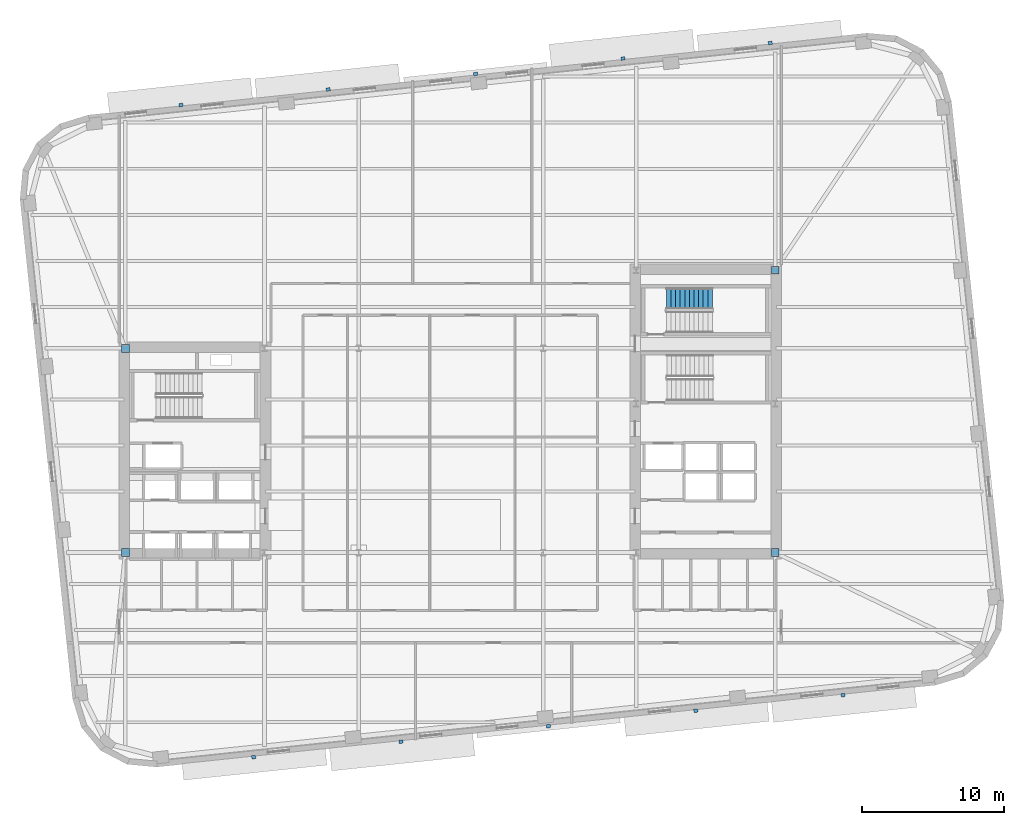
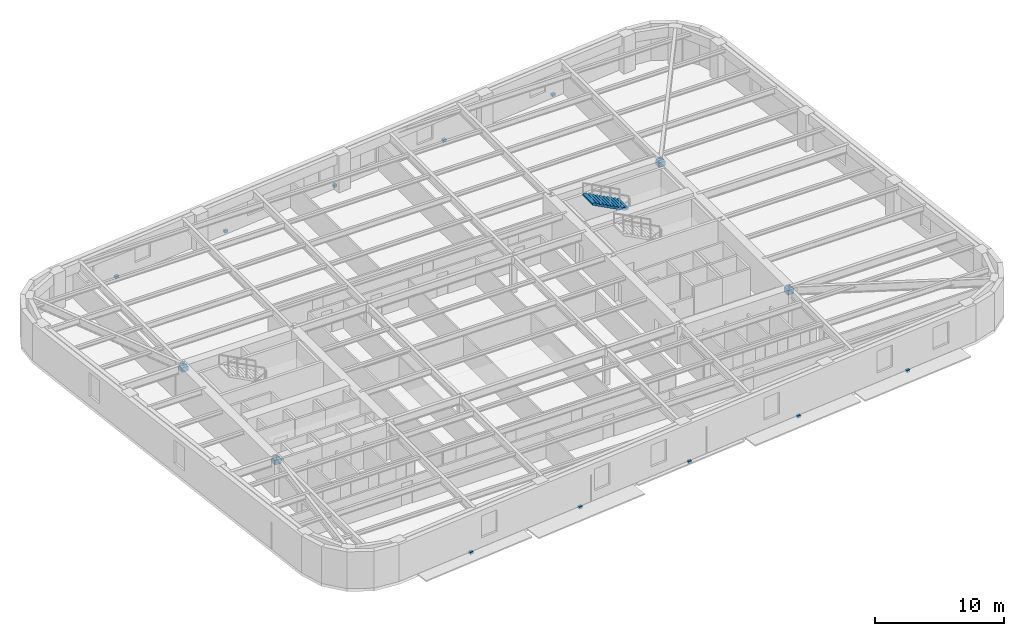
# One storey, part 8 of 12: 14 discrete accessories, 1 stair flight, 1 element without a shape of its own.
"""IFC4 building model written with IfcOpenShell, lengths in metres."""

from ifc_helpers import new_model, si_unit, direction, frame, origin, origin_2d, place, context, subcontext, project, spatial, polyline, rectangle, outline, extrude, material, type_object, element, aggregate, save


model = new_model("IFC4")

# Units and contexts
model_context = context("Model", 3, precision=1e-05, world=origin(), true_north=direction((0.0, 1.0)))
body_context = subcontext(model_context, "Body", "Model", "MODEL_VIEW")
ifc_project = project(units=[si_unit("LENGTHUNIT", "METRE"), si_unit("AREAUNIT", "SQUARE_METRE"), si_unit("VOLUMEUNIT", "CUBIC_METRE"), si_unit("PLANEANGLEUNIT", "RADIAN"), si_unit("MASSUNIT", "GRAM", prefix="KILO")], contexts=[model_context])

# Site, building, storey
site_placement = place(None, origin())
site = spatial("IfcSite", under=ifc_project, at=site_placement, CompositionType="ELEMENT")
building_placement = place(site_placement, origin())
building = spatial("IfcBuilding", under=site, at=building_placement, Name="Kolvaren Arena Tower", CompositionType="ELEMENT")
storey_placement = place(building_placement, frame((0.0, 0.0, 138.25)))
storey = spatial("IfcBuildingStorey", under=building, at=storey_placement, Name="L32", CompositionType="ELEMENT", Elevation=138.25)

# Stair, stair flight
ifc_material_1 = material(Name="Concrete 45 MPa", Category="concrete")
stair_type = type_object("IfcStairType", Name="STAIR-CORE-150", PredefinedType="HALF_TURN_STAIR", material=ifc_material_1)
stair_placement = place(storey_placement, origin())
stair = element("IfcStair", 1, at=stair_placement, inside=storey, type_object=stair_type, Name="L32 ST-E2", PredefinedType="HALF_TURN_STAIR")
stair_flight_type = type_object("IfcStairFlightType", Name="FLT-150", PredefinedType="STRAIGHT", material=ifc_material_1)
stair_flight_placement = place(storey_placement, frame((55.919921875, 37.35009765625, 1.875), z_axis=(0.0, 0.0, 1.0), x_axis=(-1.0, 0.0, 0.0)))
stair_flight = element("IfcStairFlight", 2, at=stair_flight_placement, type_object=stair_flight_type, Name="ST-E2 flight 2", NumberOfRisers=11, NumberOfTreads=10, PredefinedType="STRAIGHT", RiserHeight=0.170454545, TreadLength=0.324, context=body_context, shape_type="SweptSolid", body=[
    extrude(outline(polyline([(0.0, 0.0), (0.0, 0.17041015625), (0.323974609375, 0.17041015625), (0.323974609375, 0.3408203125), (0.64794921875, 0.3408203125), (0.64794921875, 0.511474609375), (0.971923828125, 0.511474609375), (0.971923828125, 0.681884765625), (1.2958984375, 0.681884765625), (1.2958984375, 0.852294921875), (1.6201171875, 0.852294921875), (1.6201171875, 1.022705078125), (1.944091796875, 1.022705078125), (1.944091796875, 1.193115234375), (2.26806640625, 1.193115234375), (2.26806640625, 1.363525390625), (2.592041015625, 1.363525390625), (2.592041015625, 1.5341796875), (2.916015625, 1.5341796875), (2.916015625, 1.70458984375), (3.239990234375, 1.70458984375), (3.239990234375, 1.875), (3.239990234375, 1.53515625), (0.322021484375, 0.0), (0.0, 0.0)])), frame((0.0, 0.75, 0.0), z_axis=(0.0, -1.0, 0.0), x_axis=(1.0, 0.0, 0.0)), (0.0, 0.0, 1.0), 1.5),
])
aggregate(stair, [stair_flight])

# Discrete accessories
ifc_material_2 = material(Name="Stainless steel facade support bracket", Category="steel")
discrete_accessory_type_1 = type_object("IfcDiscreteAccessoryType", Name="ACC-BRKT-1", PredefinedType="BRACKET", material=ifc_material_2)
for number, where, z_axis, x_axis, name in (
    (3, (18.468505859375, 50.9951171875, -0.18017578125), (0.0, 0.0, 1.0), (0.994522077803, 0.104526727499, 0.0), "Sunshade Support Bracket (L32)"),
    (4, (28.851318359375, 52.08642578125, -0.18017578125), (0.0, 0.0, 1.0), (0.994522077803, 0.104526727499, 0.0), "Sunshade Support Bracket (L32)"),
    (5, (39.234130859375, 53.177734375, -0.18017578125), (0.0, 0.0, 1.0), (0.994522077803, 0.104526727499, 0.0), "Sunshade Support Bracket (L32)"),
    (6, (49.616943359375, 54.268798828125, -0.18017578125), (0.0, 0.0, 1.0), (0.994522077803, 0.104526727499, 0.0), "Sunshade Support Bracket (L32)"),
    (7, (59.999755859375, 55.360107421875, -0.18017578125), (0.0, 0.0, 1.0), (0.994522077803, 0.104526727499, 0.0), "Sunshade Support Bracket (L32)"),
    (8, (65.131591796875, 9.40478515625, -0.18017578125), (0.0, 0.0, 1.0), (-0.994522077803, -0.104526727499, 0.0), "Sunshade Support Bracket (L32)"),
    (9, (54.748779296875, 8.313720703125, -0.18017578125), (0.0, 0.0, 1.0), (-0.994522077803, -0.104526727499, 0.0), "Sunshade Support Bracket (L32)"),
    (10, (44.365966796875, 7.222412109375, -0.18017578125), (0.0, 0.0, 1.0), (-0.994522077803, -0.104526727499, 0.0), "Sunshade Support Bracket (L32)"),
    (11, (33.983154296875, 6.131103515625, -0.18017578125), (0.0, 0.0, 1.0), (-0.994522077803, -0.104526727499, 0.0), "Sunshade Support Bracket (L32)"),
    (12, (23.600341796875, 5.039794921875, -0.18017578125), (0.0, 0.0, 1.0), (-0.994522077803, -0.104526727499, 0.0), "Sunshade Support Bracket (L32)"),
):
    element("IfcDiscreteAccessory", number, at=place(storey_placement, frame(where, z_axis=z_axis, x_axis=x_axis)), inside=storey, type_object=discrete_accessory_type_1, Name=name, PredefinedType="BRACKET", context=body_context, shape_type="SweptSolid", body=[
        extrude(rectangle(XDim=0.280029296875, YDim=0.239990234375, at=origin_2d()), origin(), (0.0, 0.0, 1.0), 0.239990234375),
    ])
ifc_material_3 = material(Name="Steel CSA G40.21 350W bolted gusset connection", Category="steel")
discrete_accessory_type_2 = type_object("IfcDiscreteAccessoryType", Name="ACC-CONN-1", PredefinedType="BRACKET", material=ifc_material_3)
for number, where, z_axis, x_axis, name in (
    (13, (60.35009765625, 19.449951171875, 2.87353515625), (0.0, 0.0, 1.0), (1.0, 0.0, 0.0), "Core Wall Cast-In Embed Plate EP1 (L32)"),
    (14, (60.35009765625, 39.35009765625, 2.87353515625), (0.0, 0.0, 1.0), (1.0, 0.0, 0.0), "Core Wall Cast-In Embed Plate EP1 (L32)"),
    (15, (14.550048828125, 33.85009765625, 2.87353515625), (0.0, 0.0, 1.0), (1.0, 0.0, 0.0), "Core Wall Cast-In Embed Plate EP1 (L32)"),
    (16, (14.550048828125, 19.449951171875, 2.87353515625), (0.0, 0.0, 1.0), (1.0, 0.0, 0.0), "Core Wall Cast-In Embed Plate EP1 (L32)"),
):
    element("IfcDiscreteAccessory", number, at=place(storey_placement, frame(where, z_axis=z_axis, x_axis=x_axis)), inside=storey, type_object=discrete_accessory_type_2, Name=name, PredefinedType="BRACKET", context=body_context, shape_type="SweptSolid", body=[
        extrude(rectangle(XDim=0.56005859375, YDim=0.56005859375, at=origin_2d()), origin(), (0.0, 0.0, 1.0), 0.43994140625),
    ])

save(model, "model.ifc")
